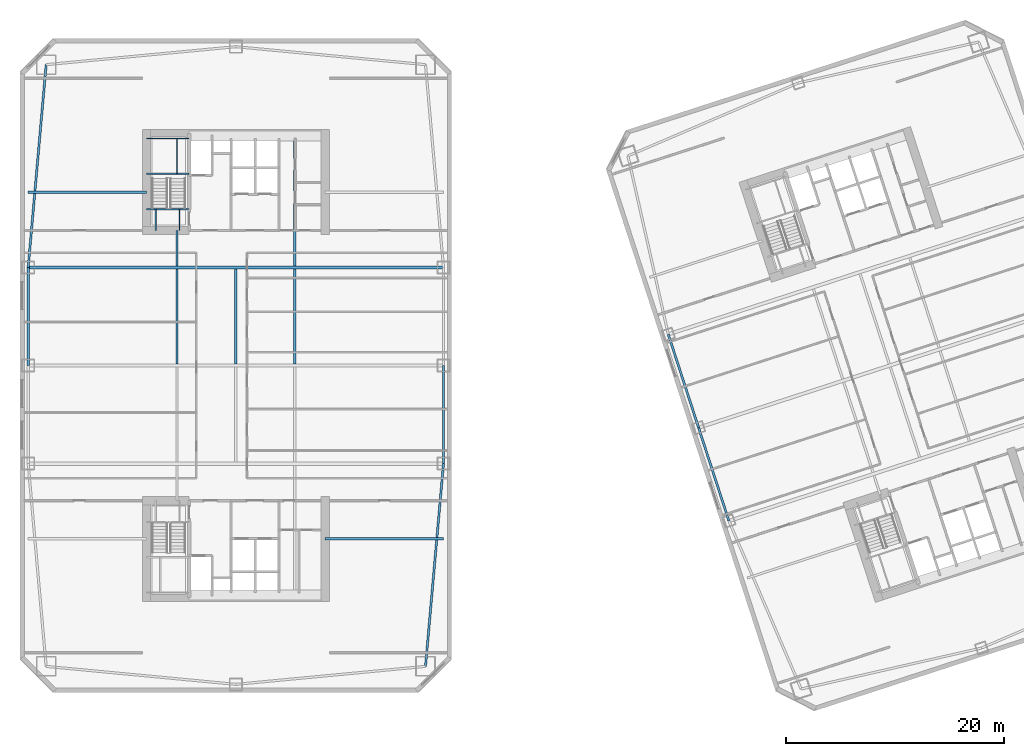
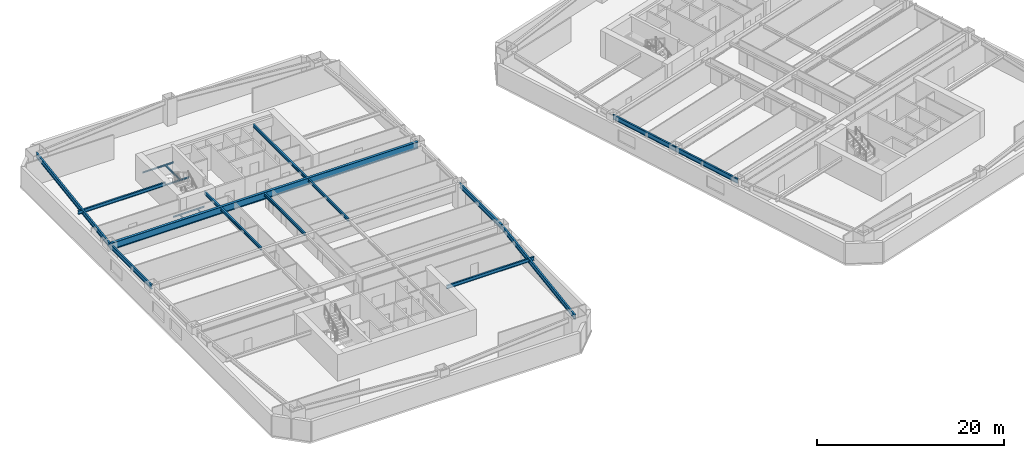
# One storey, part 3 of 19: 20 beams.
"""IFC4 building model written with IfcOpenShell, lengths in metres."""

from ifc_helpers import new_model, si_unit, direction, frame, origin, origin_2d, place, context, subcontext, project, spatial, i_section, extrude, material, material_profile, profile_set, type_object, element, save


model = new_model("IFC4")

# Units and contexts
model_context = context("Model", 3, precision=1e-05, world=origin(), true_north=direction((0.0, 1.0)))
body_context = subcontext(model_context, "Body", "Model", "MODEL_VIEW")
ifc_project = project(units=[si_unit("LENGTHUNIT", "METRE"), si_unit("AREAUNIT", "SQUARE_METRE"), si_unit("VOLUMEUNIT", "CUBIC_METRE"), si_unit("PLANEANGLEUNIT", "RADIAN"), si_unit("MASSUNIT", "GRAM", prefix="KILO")], contexts=[model_context])

# Site, building, storey
site_placement = place(None, origin())
site = spatial("IfcSite", under=ifc_project, at=site_placement, CompositionType="ELEMENT")
building_placement = place(site_placement, origin())
building = spatial("IfcBuilding", under=site, at=building_placement, Name="Qiaolan Cultural Towers", CompositionType="ELEMENT")
storey_placement = place(building_placement, frame((0.0, 0.0, 54.050048828125)))
storey = spatial("IfcBuildingStorey", under=building, at=storey_placement, Name="L12", CompositionType="ELEMENT", Elevation=54.050048828125)

# Beams
ifc_material_1 = material(Name="Steel Q355B", Category="steel")
ifc_material_profile_1 = material_profile(ifc_material_1, i_section(OverallWidth=0.300048828125, OverallDepth=0.89990234375, WebThickness=0.01611328125, FlangeThickness=0.028076171875, at=origin_2d()), Name="HN900x300x16x28")
ifc_profile_set_1 = profile_set([ifc_material_profile_1], Name="Steel Q355B")
beam_type_1 = type_object("IfcBeamType", Name="BM-HN900x300x16x28", PredefinedType="BEAM", material=ifc_profile_set_1)
beam_1_placement = place(storey_placement, frame((10.949951171875, 43.0, 2.739990234375), z_axis=(1.0, 0.0, 0.0), x_axis=(0.0, 1.0, 0.0)))
element("IfcBeam", 1, at=beam_1_placement, inside=storey, type_object=beam_type_1, Name="L12 T1 Primary Transverse Girder V3", PredefinedType="BEAM", context=body_context, shape_type="SweptSolid", body=[
    extrude(i_section(OverallWidth=0.300048828125, OverallDepth=0.89990234375, WebThickness=0.01611328125, FlangeThickness=0.028076171875, at=origin_2d()), origin(), (0.0, 0.0, 1.0), 38.10009765625),
])
ifc_material_2 = material(Name="Steel Q355B", Category="steel")
ifc_material_profile_2 = material_profile(ifc_material_2, i_section(OverallWidth=0.199951171875, OverallDepth=0.39990234375, WebThickness=0.008056640625, FlangeThickness=0.012939453125, at=origin_2d()), Name="HN400x200x8x13")
ifc_profile_set_2 = profile_set([ifc_material_profile_2], Name="Steel Q355B")
beam_type_2 = type_object("IfcBeamType", Name="BM-JST-HN400x200x8x13", PredefinedType="JOIST", material=ifc_profile_set_2)
beam_2_placement = place(storey_placement, frame((24.60009765625, 34.14990234375, 2.989990234375), z_axis=(0.0, 1.0, 0.0), x_axis=(-1.0, 0.0, 0.0)))
element("IfcBeam", 2, at=beam_2_placement, inside=storey, type_object=beam_type_2, Name="L12 T1 Secondary Floor Joist U1-3", PredefinedType="JOIST", context=body_context, shape_type="SweptSolid", body=[
    extrude(i_section(OverallWidth=0.199951171875, OverallDepth=0.39990234375, WebThickness=0.008056640625, FlangeThickness=0.012939453125, at=origin_2d()), origin(), (0.0, 0.0, 1.0), 8.7001953125),
])
beam_3_placement = place(storey_placement, frame((24.60009765625, 43.14990234375, 2.989990234375), z_axis=(0.0, 1.0, 0.0), x_axis=(-1.0, 0.0, 0.0)))
element("IfcBeam", 3, at=beam_3_placement, inside=storey, type_object=beam_type_2, Name="L12 T1 Secondary Floor Joist U1-4", PredefinedType="JOIST", context=body_context, shape_type="SweptSolid", body=[
    extrude(i_section(OverallWidth=0.199951171875, OverallDepth=0.39990234375, WebThickness=0.008056640625, FlangeThickness=0.012939453125, at=origin_2d()), origin(), (0.0, 0.0, 1.0), 3.25),
])
for number, where, z_axis, x_axis, name in (
    (4, (30.0, 34.14990234375, 2.989990234375), (0.0, 1.0, 0.0), (-1.0, 0.0, 0.0), "L12 T1 Secondary Floor Joist U2-3"),
    (5, (35.39990234375, 34.14990234375, 2.989990234375), (0.0, 1.0, 0.0), (-1.0, 0.0, 0.0), "L12 T1 Secondary Floor Joist U3-3"),
):
    element("IfcBeam", number, at=place(storey_placement, frame(where, z_axis=z_axis, x_axis=x_axis)), inside=storey, type_object=beam_type_2, Name=name, PredefinedType="JOIST", context=body_context, shape_type="SweptSolid", body=[
        extrude(i_section(OverallWidth=0.199951171875, OverallDepth=0.39990234375, WebThickness=0.008056640625, FlangeThickness=0.012939453125, at=origin_2d()), origin(), (0.0, 0.0, 1.0), 8.7001953125),
    ])
beam_4_placement = place(storey_placement, frame((35.39990234375, 43.14990234375, 2.989990234375), z_axis=(0.0, 1.0, 0.0), x_axis=(-1.0, 0.0, 0.0)))
element("IfcBeam", 6, at=beam_4_placement, inside=storey, type_object=beam_type_2, Name="L12 T1 Secondary Floor Joist U3-4", PredefinedType="JOIST", context=body_context, shape_type="SweptSolid", body=[
    extrude(i_section(OverallWidth=0.199951171875, OverallDepth=0.39990234375, WebThickness=0.008056640625, FlangeThickness=0.012939453125, at=origin_2d()), origin(), (0.0, 0.0, 1.0), 11.4501953125),
])
ifc_material_3 = material(Name="Steel Q355B", Category="steel")
ifc_material_profile_3 = material_profile(ifc_material_3, i_section(OverallWidth=0.199951171875, OverallDepth=0.449951171875, WebThickness=0.009033203125, FlangeThickness=0.013916015625, at=origin_2d()), Name="HN450x200x9x14")
ifc_profile_set_3 = profile_set([ifc_material_profile_3], Name="Steel Q355B")
beam_type_3 = type_object("IfcBeamType", Name="BM-LNT-HN450x200x9x14", PredefinedType="LINTEL", material=ifc_profile_set_3)
for number, where, z_axis, x_axis, name in (
    (7, (21.800048828125, 49.89990234375, 2.96484375), (-1.0, 0.0, 0.0), (0.0, -1.0, 0.0), "L12 T1 Core Flank Tie Lintel WN"),
    (8, (38.199951171875, 18.10009765625, 2.96484375), (1.0, 0.0, 0.0), (0.0, 1.0, 0.0), "L12 T1 Core Flank Tie Lintel ES"),
):
    element("IfcBeam", number, at=place(storey_placement, frame(where, z_axis=z_axis, x_axis=x_axis)), inside=storey, type_object=beam_type_3, Name=name, PredefinedType="LINTEL", context=body_context, shape_type="SweptSolid", body=[
        extrude(i_section(OverallWidth=0.199951171875, OverallDepth=0.449951171875, WebThickness=0.009033203125, FlangeThickness=0.013916015625, at=origin_2d()), origin(), (0.0, 0.0, 1.0), 10.85009765625),
    ])
ifc_material_4 = material(Name="Steel Q355B", Category="steel")
ifc_material_profile_4 = material_profile(ifc_material_4, i_section(OverallWidth=0.199951171875, OverallDepth=0.60009765625, WebThickness=0.010986328125, FlangeThickness=0.01708984375, at=origin_2d()), Name="HN600x200x11x17")
ifc_profile_set_4 = profile_set([ifc_material_profile_4], Name="Steel Q355B")
beam_type_4 = type_object("IfcBeamType", Name="BM-SPD-HN600x200x11x17", PredefinedType="SPANDREL", material=ifc_profile_set_4)
beam_5_placement = place(storey_placement, frame((47.39990234375, 6.39990234375, 2.889892578125), z_axis=(0.08837000091, 0.996087718496, 0.0), x_axis=(-0.996087718496, 0.08837000091, 0.0)))
element("IfcBeam", 9, at=beam_5_placement, inside=storey, type_object=beam_type_4, Name="L12 T1 Perimeter Spandrel Beam 3", PredefinedType="SPANDREL", context=body_context, shape_type="SweptSolid", body=[
    extrude(i_section(OverallWidth=0.199951171875, OverallDepth=0.60009765625, WebThickness=0.010986328125, FlangeThickness=0.01708984375, at=origin_2d()), origin(), (0.0, 0.0, 1.0), 18.673095703125),
])
beam_6_placement = place(storey_placement, frame((49.050048828125, 25.0, 2.889892578125), z_axis=(0.0, 1.0, 0.0), x_axis=(-1.0, 0.0, 0.0)))
element("IfcBeam", 10, at=beam_6_placement, inside=storey, type_object=beam_type_4, Name="L12 T1 Perimeter Spandrel Beam 4", PredefinedType="SPANDREL", context=body_context, shape_type="SweptSolid", body=[
    extrude(i_section(OverallWidth=0.199951171875, OverallDepth=0.60009765625, WebThickness=0.010986328125, FlangeThickness=0.01708984375, at=origin_2d()), origin(), (0.0, 0.0, 1.0), 9.0),
])
beam_7_placement = place(storey_placement, frame((12.60009765625, 61.60009765625, 2.889892578125), z_axis=(-0.08837000091, -0.996087718496, 0.0), x_axis=(0.996087718496, -0.08837000091, 0.0)))
element("IfcBeam", 11, at=beam_7_placement, inside=storey, type_object=beam_type_4, Name="L12 T1 Perimeter Spandrel Beam 9", PredefinedType="SPANDREL", context=body_context, shape_type="SweptSolid", body=[
    extrude(i_section(OverallWidth=0.199951171875, OverallDepth=0.60009765625, WebThickness=0.010986328125, FlangeThickness=0.01708984375, at=origin_2d()), origin(), (0.0, 0.0, 1.0), 18.673095703125),
])
for number, where, z_axis, x_axis, name in (
    (12, (10.949951171875, 43.0, 2.889892578125), (0.0, -1.0, 0.0), (1.0, 0.0, 0.0), "L12 T1 Perimeter Spandrel Beam 10"),
    (13, (69.671875, 36.858154296875, 2.889892578125), (0.309024734286, -0.951054001411, 0.0), (0.951054001411, 0.309024734286, 0.0), "L12 T2 Perimeter Spandrel Beam 10"),
    (14, (72.453125, 28.298583984375, 2.889892578125), (0.309000197986, -0.951061973609, 0.0), (0.951061973609, 0.309000197986, 0.0), "L12 T2 Perimeter Spandrel Beam 11"),
):
    element("IfcBeam", number, at=place(storey_placement, frame(where, z_axis=z_axis, x_axis=x_axis)), inside=storey, type_object=beam_type_4, Name=name, PredefinedType="SPANDREL", context=body_context, shape_type="SweptSolid", body=[
        extrude(i_section(OverallWidth=0.199951171875, OverallDepth=0.60009765625, WebThickness=0.010986328125, FlangeThickness=0.01708984375, at=origin_2d()), origin(), (0.0, 0.0, 1.0), 9.0),
    ])
ifc_material_5 = material(Name="Steel Q355B", Category="steel")
ifc_material_profile_5 = material_profile(ifc_material_5, i_section(OverallWidth=0.10009765625, OverallDepth=0.199951171875, WebThickness=0.005615234375, FlangeThickness=0.008056640625, at=origin_2d()), Name="HN200x100x5.5x8")
ifc_profile_set_5 = profile_set([ifc_material_profile_5], Name="Steel Q355B")
beam_type_5 = type_object("IfcBeamType", Name="BM-STTRIM-200", PredefinedType="BEAM", material=ifc_profile_set_5)
beam_8_placement = place(storey_placement, frame((21.800048828125, 48.340087890625, -0.4599609375), z_axis=(1.0, 0.0, 0.0), x_axis=(0.0, 1.0, 0.0)))
element("IfcBeam", 15, at=beam_8_placement, inside=storey, type_object=beam_type_5, Name="L12 ST-W2 Floor Landing Header Beam", PredefinedType="BEAM", context=body_context, shape_type="SweptSolid", body=[
    extrude(i_section(OverallWidth=0.10009765625, OverallDepth=0.199951171875, WebThickness=0.005615234375, FlangeThickness=0.008056640625, at=origin_2d()), origin(), (0.0, 0.0, 1.0), 3.919921875),
])
for number, where, z_axis, x_axis, name in (
    (16, (22.64990234375, 46.39990234375, -0.4599609375), (0.0, 1.0, 0.0), (-1.0, 0.0, 0.0), "L12 ST-W2 Floor Landing Stringer 1"),
    (17, (24.85009765625, 46.39990234375, -0.4599609375), (0.0, 1.0, 0.0), (-1.0, 0.0, 0.0), "L12 ST-W2 Floor Landing Stringer 2"),
):
    element("IfcBeam", number, at=place(storey_placement, frame(where, z_axis=z_axis, x_axis=x_axis)), inside=storey, type_object=beam_type_5, Name=name, PredefinedType="BEAM", context=body_context, shape_type="SweptSolid", body=[
        extrude(i_section(OverallWidth=0.10009765625, OverallDepth=0.199951171875, WebThickness=0.005615234375, FlangeThickness=0.008056640625, at=origin_2d()), origin(), (0.0, 0.0, 1.0), 1.940185546875),
    ])
for number, where, z_axis, x_axis, name in (
    (18, (21.800048828125, 51.588623046875, 1.425048828125), (1.0, 0.0, 0.0), (0.0, 1.0, 0.0), "L12 ST-W2 Stair Landing Support Beam 1-1"),
    (19, (21.800048828125, 54.820068359375, 1.425048828125), (1.0, 0.0, 0.0), (0.0, 1.0, 0.0), "L12 ST-W2 Stair Landing Support Beam 1-2"),
):
    element("IfcBeam", number, at=place(storey_placement, frame(where, z_axis=z_axis, x_axis=x_axis)), inside=storey, type_object=beam_type_5, Name=name, PredefinedType="BEAM", context=body_context, shape_type="SweptSolid", body=[
        extrude(i_section(OverallWidth=0.10009765625, OverallDepth=0.199951171875, WebThickness=0.005615234375, FlangeThickness=0.008056640625, at=origin_2d()), origin(), (0.0, 0.0, 1.0), 3.919921875),
    ])
beam_9_placement = place(storey_placement, frame((24.610107421875, 51.588623046875, 1.425048828125), z_axis=(0.0, 1.0, 0.0), x_axis=(-1.0, 0.0, 0.0)))
element("IfcBeam", 20, at=beam_9_placement, inside=storey, type_object=beam_type_5, Name="L12 ST-W2 Stair Landing Trimmer 1", PredefinedType="BEAM", context=body_context, shape_type="SweptSolid", body=[
    extrude(i_section(OverallWidth=0.10009765625, OverallDepth=0.199951171875, WebThickness=0.005615234375, FlangeThickness=0.008056640625, at=origin_2d()), origin(), (0.0, 0.0, 1.0), 3.2314453125),
])

save(model, "model.ifc")
